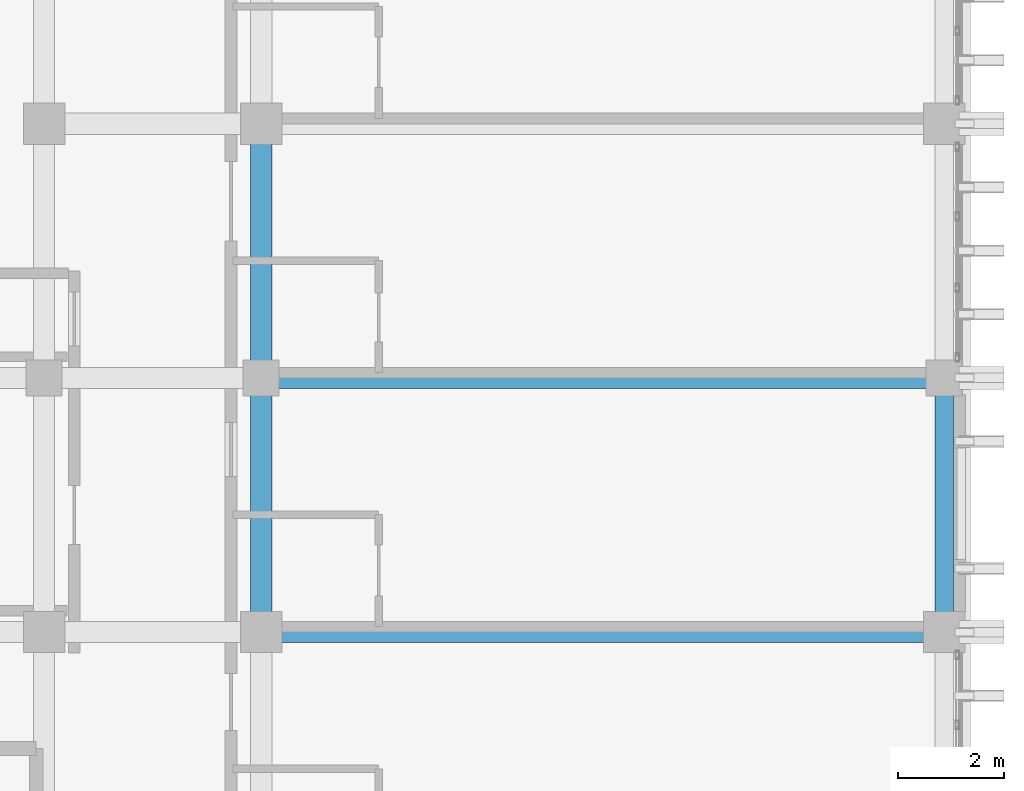
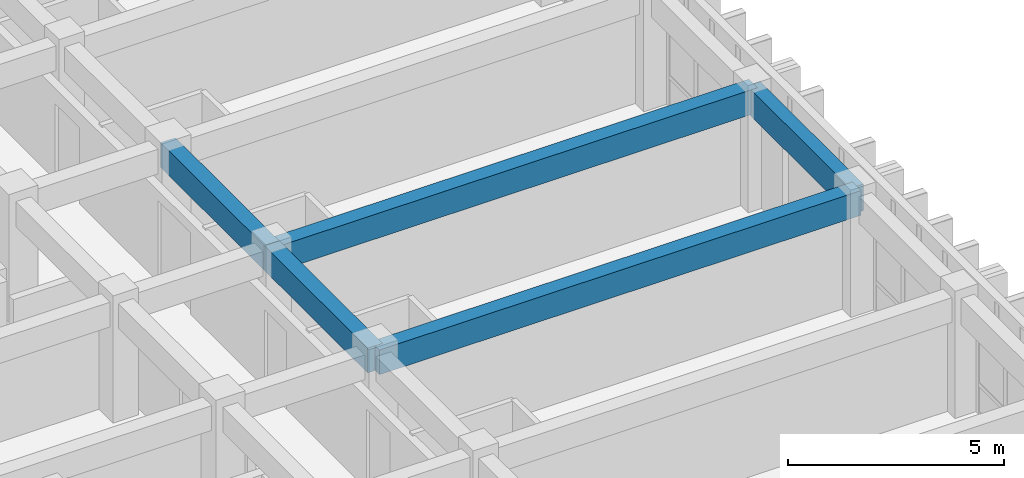
# One storey, part 40 of 68: 5 beams.
"""IFC4 building model written with IfcOpenShell, lengths in metres."""

from ifc_helpers import new_model, si_unit, direction, frame, origin, origin_2d, place, context, subcontext, project, spatial, rectangle, extrude, material, material_profile, profile_set, type_object, element, save


model = new_model("IFC4")

# Units and contexts
model_context = context("Model", 3, precision=1e-05, world=origin(), true_north=direction((0.0, 1.0)))
body_context = subcontext(model_context, "Body", "Model", "MODEL_VIEW")
ifc_project = project(units=[si_unit("LENGTHUNIT", "METRE"), si_unit("AREAUNIT", "SQUARE_METRE"), si_unit("VOLUMEUNIT", "CUBIC_METRE"), si_unit("PLANEANGLEUNIT", "RADIAN"), si_unit("MASSUNIT", "GRAM", prefix="KILO")], contexts=[model_context])

# Site, building, storey
site_placement = place(None, origin())
site = spatial("IfcSite", under=ifc_project, at=site_placement, CompositionType="ELEMENT")
building_placement = place(site_placement, origin())
building = spatial("IfcBuilding", under=site, at=building_placement, Name="Nakhvara Creek Congress Hotel", CompositionType="ELEMENT")
storey_placement = place(building_placement, frame((0.0, 0.0, 24.60009765625)))
storey = spatial("IfcBuildingStorey", under=building, at=storey_placement, Name="L05", CompositionType="ELEMENT", Elevation=24.60009765625)

# Beams
ifc_material = material(Name="Concrete C40/50", Category="concrete")
ifc_material_profile_1 = material_profile(ifc_material, rectangle(XDim=0.39990234375, YDim=0.699951171875, at=origin_2d()), Name="RC-BM 400x700", Category="LoadBearing")
ifc_profile_set_1 = profile_set([ifc_material_profile_1], Name="Concrete C40/50")
beam_type_1 = type_object("IfcBeamType", Name="BM-RC-400X700", PredefinedType="BEAM", material=ifc_profile_set_1)
beam_1_placement = place(storey_placement, frame((166.449951171875, 96.0, 2.989990234375), z_axis=(1.0, 0.0, 0.0), x_axis=(0.0, 1.0, 0.0)))
element("IfcBeam", 1, at=beam_1_placement, inside=storey, type_object=beam_type_1, Name="Beam B05-L05-2136", PredefinedType="BEAM", context=body_context, shape_type="SweptSolid", body=[
    extrude(rectangle(XDim=0.39990234375, YDim=0.699951171875, at=origin_2d()), origin(), (0.0, 0.0, 1.0), 12.900146484375),
])
for number, where, z_axis, x_axis, name in (
    (2, (166.449951171875, 96.0, 2.989990234375), (0.0, 1.0, 0.0), (-1.0, 0.0, 0.0), "Beam B05-L05-2138"),
    (3, (166.449951171875, 100.800048828125, 2.989990234375), (0.0, 1.0, 0.0), (-1.0, 0.0, 0.0), "Beam B05-L05-2140"),
):
    element("IfcBeam", number, at=place(storey_placement, frame(where, z_axis=z_axis, x_axis=x_axis)), inside=storey, type_object=beam_type_1, Name=name, PredefinedType="BEAM", context=body_context, shape_type="SweptSolid", body=[
        extrude(rectangle(XDim=0.39990234375, YDim=0.699951171875, at=origin_2d()), origin(), (0.0, 0.0, 1.0), 4.800048828125),
    ])
beam_2_placement = place(storey_placement, frame((166.449951171875, 100.800048828125, 2.989990234375), z_axis=(1.0, 0.0, 0.0), x_axis=(0.0, 1.0, 0.0)))
element("IfcBeam", 4, at=beam_2_placement, inside=storey, type_object=beam_type_1, Name="Beam B05-L05-2190", PredefinedType="BEAM", context=body_context, shape_type="SweptSolid", body=[
    extrude(rectangle(XDim=0.39990234375, YDim=0.699951171875, at=origin_2d()), origin(), (0.0, 0.0, 1.0), 12.900146484375),
])
ifc_material_profile_2 = material_profile(ifc_material, rectangle(XDim=0.35009765625, YDim=0.75, at=origin_2d()), Name="RC-SPANDREL 350x750", Category="LoadBearing")
ifc_profile_set_2 = profile_set([ifc_material_profile_2], Name="Concrete C40/50")
beam_type_2 = type_object("IfcBeamType", Name="BM-SPN-350X750", PredefinedType="SPANDREL", material=ifc_profile_set_2)
beam_3_placement = place(storey_placement, frame((179.35009765625, 96.0, 2.96484375), z_axis=(0.0, 1.0, 0.0), x_axis=(-1.0, 0.0, 0.0)))
element("IfcBeam", 5, at=beam_3_placement, inside=storey, type_object=beam_type_2, Name="Beam SP1-L05-2161", PredefinedType="SPANDREL", context=body_context, shape_type="SweptSolid", body=[
    extrude(rectangle(XDim=0.35009765625, YDim=0.75, at=origin_2d()), origin(), (0.0, 0.0, 1.0), 4.800048828125),
])

save(model, "model.ifc")
